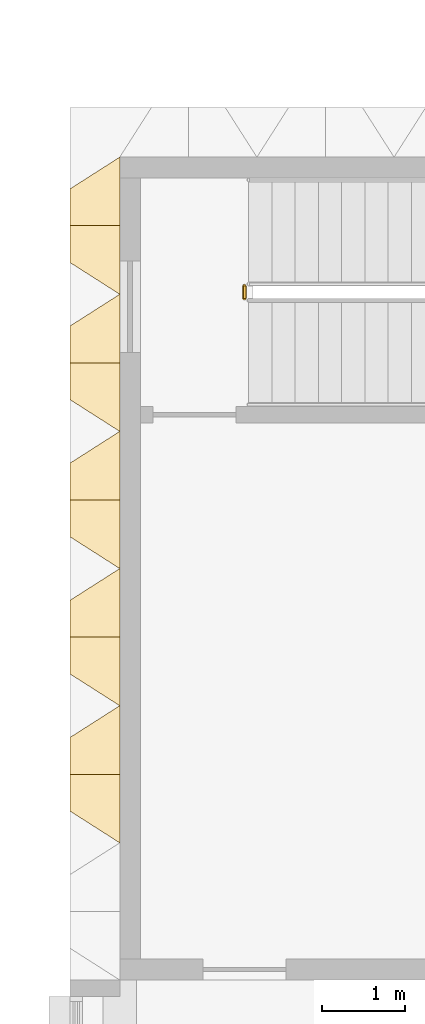
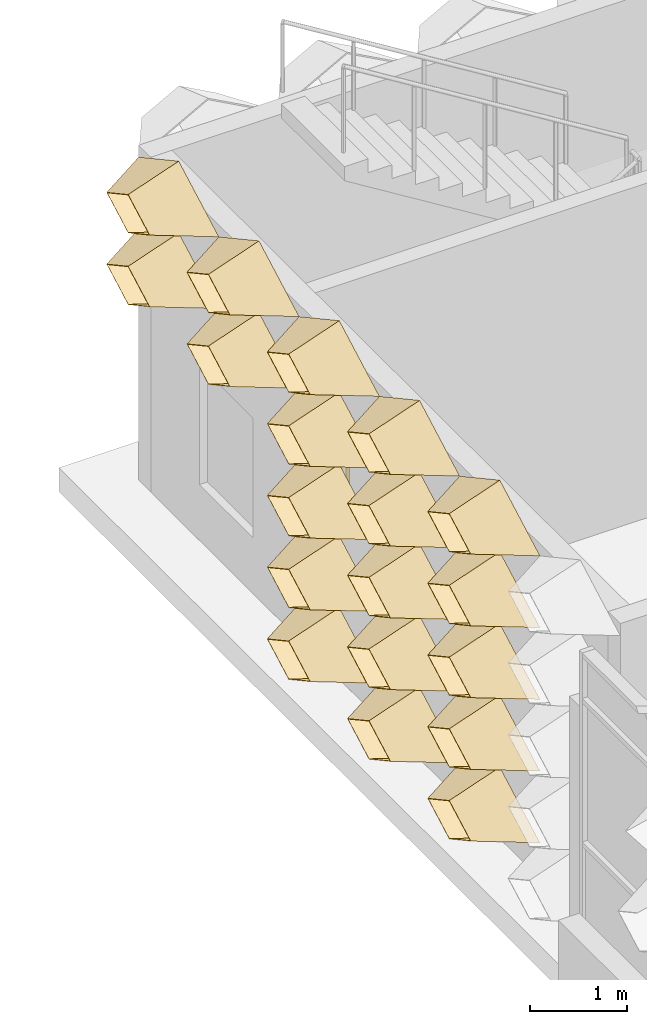
# One storey, part 42 of 85: 19 coverings, 1 railing.
"""IFC4 building model written with IfcOpenShell, lengths in metres."""

import ifcopenshell
import ifcopenshell.guid

model = None  # the IFC model being written
_history = None  # IfcOwnerHistory: only IFC2X3 demands one
_inside = {}  # id of a spatial element -> (the spatial element, [elements in it])
_under = {}  # id of a project, library or spatial element -> (it, [spatial elements below it])
_declared = {}  # id of a project -> (the project, [libraries it declares])
_typed = {}  # id of a type object -> (the type object, [elements of that type])
_made_of = {}  # id of a material, layer set ... -> (it, [elements and type objects made of it])


def new_model(schema):
    """Start an empty IFC model of exactly this schema.

    Asked for "IFC4X3", IfcOpenShell would pick the latest addendum, in which some entities
    have other attributes; the version numbers below select the first issue.
    IFC2X3 requires an IfcOwnerHistory on every rooted entity: one is made here for all.
    """
    global model, _history
    if schema == "IFC4X3":
        model = ifcopenshell.file(schema_version=(4, 3, 0, 0))
    else:
        model = ifcopenshell.file(schema=schema)
    _inside.clear()
    _under.clear()
    _declared.clear()
    _typed.clear()
    _made_of.clear()
    _history = None
    if model.schema == "IFC2X3":
        org = make("IfcOrganization", Name="unknown")
        user = make(
            "IfcPersonAndOrganization",
            ThePerson=make("IfcPerson", FamilyName="unknown"),
            TheOrganization=org,
        )
        app = make(
            "IfcApplication",
            ApplicationDeveloper=org,
            Version="unknown",
            ApplicationFullName="unknown",
            ApplicationIdentifier="unknown",
        )
        _history = make(
            "IfcOwnerHistory",
            OwningUser=user,
            OwningApplication=app,
            ChangeAction="ADDED",
            CreationDate=0,
        )
    return model


def make(cls, **values):
    """One entity of the class cls with the attributes given. An attribute that is None is left unset."""
    return model.create_entity(
        cls, **{name: value for name, value in values.items() if value is not None}
    )


def entity(cls, *values):
    """Any entity or typed value of the class cls, its attributes in the order of the schema. None: left unset."""
    e = model.create_entity(cls)
    for i, value in enumerate(values):
        if value is not None:
            e[i] = value
    return e


def rooted(cls, **values):
    """An entity with a GlobalId (a new one), such as an element, a storey or a relation."""
    return make(cls, GlobalId=ifcopenshell.guid.new(), OwnerHistory=_history, **values)


def si_unit(unit_type, name, prefix=None):
    """IfcSIUnit, for example si_unit("LENGTHUNIT", "METRE", prefix="MILLI")."""
    return make("IfcSIUnit", UnitType=unit_type, Prefix=prefix, Name=name)


def assignment(units):
    """IfcUnitAssignment: the units of a project."""
    return None if units is None else make("IfcUnitAssignment", Units=units)


def point(xyz):
    """IfcCartesianPoint."""
    return None if xyz is None else make("IfcCartesianPoint", Coordinates=xyz)


def direction(xyz):
    """IfcDirection."""
    return None if xyz is None else make("IfcDirection", DirectionRatios=xyz)


def frame(location, z_axis=None, x_axis=None):
    """IfcAxis2Placement3D, a coordinate frame: its origin and axes. An axis left out is left unset."""
    return make(
        "IfcAxis2Placement3D",
        Location=point(location),
        Axis=direction(z_axis),
        RefDirection=direction(x_axis),
    )


def frame_2d(location, x_axis=None):
    """IfcAxis2Placement2D, a coordinate frame in the plane: its origin and x axis."""
    return make(
        "IfcAxis2Placement2D", Location=point(location), RefDirection=direction(x_axis)
    )


def origin():
    """The frame at (0, 0, 0) with its axes left unset."""
    return frame((0.0, 0.0, 0.0))


def origin_2d():
    """The frame at (0, 0) in the plane with its x axis left unset."""
    return frame_2d((0.0, 0.0))


def place(relative_to, where):
    """IfcLocalPlacement: puts the frame where relative to a parent placement (None: the world)."""
    return make(
        "IfcLocalPlacement", PlacementRelTo=relative_to, RelativePlacement=where
    )


def context(
    kind, dimensions, precision=None, world=None, true_north=None, identifier=None
):
    """IfcGeometricRepresentationContext, for example the 3D "Model" context."""
    return make(
        "IfcGeometricRepresentationContext",
        ContextIdentifier=identifier,
        ContextType=kind,
        CoordinateSpaceDimension=dimensions,
        Precision=precision,
        WorldCoordinateSystem=world,
        TrueNorth=true_north,
    )


def subcontext(parent, identifier, kind, view, scale=None):
    """IfcGeometricRepresentationSubContext, for example "Body" below "Model"."""
    return make(
        "IfcGeometricRepresentationSubContext",
        ContextIdentifier=identifier,
        ContextType=kind,
        ParentContext=parent,
        TargetScale=scale,
        TargetView=view,
    )


def project(units=None, contexts=None):
    """IfcProject with its units and contexts."""
    return rooted(
        "IfcProject",
        Name="project",
        RepresentationContexts=contexts,
        UnitsInContext=assignment(units),
    )


def spatial(cls, under=None, at=None, **own):
    """A site, building, storey or space (cls), placed at a placement, below another one or the project."""
    s = rooted(cls, ObjectPlacement=at, **own)
    if under is not None:
        _under.setdefault(under.id(), (under, []))[1].append(s)
    return s


def profile(cls, at=None, kind="AREA", **sizes):
    """A parametric profile (cls). Its sizes go by their IFC names, for example OverallWidth=200.0."""
    return make(cls, ProfileType=kind, Position=at, **sizes)


def circle(**sizes):
    """IfcCircleProfileDef."""
    return profile("IfcCircleProfileDef", **sizes)


def extrude(swept, where, along, depth):
    """IfcExtrudedAreaSolid: the profile swept, set in the frame where, extruded along a direction by depth."""
    return make(
        "IfcExtrudedAreaSolid",
        SweptArea=swept,
        Position=where,
        ExtrudedDirection=direction(along),
        Depth=depth,
    )


def shape(context_of_items, identifier, shape_type, items):
    """IfcShapeRepresentation: the items that make up one representation, for example the "Body"."""
    return make(
        "IfcShapeRepresentation",
        ContextOfItems=context_of_items,
        RepresentationIdentifier=identifier,
        RepresentationType=shape_type,
        Items=items,
    )


def material(Name=None, Category=None):
    """IfcMaterial."""
    return make("IfcMaterial", Name=Name, Category=Category)


def layer(
    of_material, thickness, ventilated=None, Name=None, Category=None, Priority=None
):
    """IfcMaterialLayer: one layer of a wall or slab, of a material (None: an air gap)."""
    return make(
        "IfcMaterialLayer",
        Material=of_material,
        LayerThickness=thickness,
        IsVentilated=ventilated,
        Name=Name,
        Category=Category,
        Priority=Priority,
    )


def layer_set(layers, Name=None):
    """IfcMaterialLayerSet."""
    return make("IfcMaterialLayerSet", MaterialLayers=layers, LayerSetName=Name)


def made_of(thing, what):
    """Note that an element or type object is made of a material, layer set ...; save() writes the relation."""
    if what is not None:
        _made_of.setdefault(what.id(), (what, []))[1].append(thing)
    return thing


def type_object(cls, material=None, **own):
    """A type object (cls), such as IfcWallType, which elements share."""
    return made_of(rooted(cls, **own), material)


def element(
    cls,
    number,
    at=None,
    inside=None,
    cuts=None,
    type_object=None,
    material=None,
    context=None,
    identifier="Body",
    shape_type=None,
    held_by="IfcProductDefinitionShape",
    body=None,
    shapes=None,
    **own,
):
    """One element of the class cls, such as IfcWall. Its Tag is "e" and its number.

    at: its placement. inside: the storey or other place that contains it. cuts: it is an
    opening in that element (IfcRelVoidsElement). A single representation is given by context,
    identifier, shape_type and body (its items); several are given by shapes. held_by: the class
    of the entity that holds the representations. save() writes the other relations.
    """
    e = rooted(cls, Tag="e%d" % number, ObjectPlacement=at, **own)
    if body is not None:
        shapes = [shape(context, identifier, shape_type, body)]
    if shapes is not None:
        e.Representation = make(held_by, Representations=shapes)
    if inside is not None:
        _inside.setdefault(inside.id(), (inside, []))[1].append(e)
    if cuts is not None:
        rooted(
            "IfcRelVoidsElement", RelatingBuildingElement=cuts, RelatedOpeningElement=e
        )
    if type_object is not None:
        _typed.setdefault(type_object.id(), (type_object, []))[1].append(e)
    return made_of(e, material)


def aggregate(whole, parts):
    """IfcRelAggregates: a whole, such as a stair, and the parts it consists of."""
    return rooted("IfcRelAggregates", RelatingObject=whole, RelatedObjects=parts)


def save(model, path):
    """Write the relations noted so far, then the file.

    IfcRelAggregates (storeys below a building ...), IfcRelContainedInSpatialStructure (elements
    in a storey), IfcRelDefinesByType, IfcRelAssociatesMaterial and IfcRelDeclares: one each for
    every whole, place, type object, material and project.
    """
    for whole, parts in _under.values():
        aggregate(whole, parts)
    for where, things in _inside.values():
        rooted(
            "IfcRelContainedInSpatialStructure",
            RelatedElements=things,
            RelatingStructure=where,
        )
    for kind, things in _typed.values():
        rooted("IfcRelDefinesByType", RelatedObjects=things, RelatingType=kind)
    for what, things in _made_of.values():
        rooted("IfcRelAssociatesMaterial", RelatedObjects=things, RelatingMaterial=what)
    for by, libraries in _declared.values():
        rooted("IfcRelDeclares", RelatingContext=by, RelatedDefinitions=libraries)
    model.write(path)


model = new_model("IFC4")

# Units and contexts
model_context = context("Model", 3, precision=1e-05, world=origin(), true_north=direction((0.0, 1.0)))
body_context = subcontext(model_context, "Body", "Model", "MODEL_VIEW")
ifc_project = project(units=[si_unit("LENGTHUNIT", "METRE"), si_unit("AREAUNIT", "SQUARE_METRE"), si_unit("VOLUMEUNIT", "CUBIC_METRE"), si_unit("PLANEANGLEUNIT", "RADIAN"), si_unit("MASSUNIT", "GRAM", prefix="KILO")], contexts=[model_context])

# Site, building, storey
site_placement = place(None, origin())
site = spatial("IfcSite", under=ifc_project, at=site_placement, CompositionType="ELEMENT")
building_placement = place(site_placement, origin())
building = spatial("IfcBuilding", under=site, at=building_placement, Name="Lantern Court Research Institute", CompositionType="ELEMENT")
storey_placement = place(building_placement, frame((0.0, 0.0, 18.89990234375)))
storey = spatial("IfcBuildingStorey", under=building, at=storey_placement, Name="L04", CompositionType="ELEMENT", Elevation=18.89990234375)

# Coverings
ifc_material_1 = material(Name="Anodised aluminium", Category="aluminium")
ifc_layer = layer(ifc_material_1, 0.01611328125)
ifc_layer_set = layer_set([ifc_layer], Name="Anodised aluminium")
covering_type = type_object("IfcCoveringType", Name="Fin cassette 1650 x 900 x 600 aluminium", PredefinedType="CLADDING", material=ifc_layer_set)
covering_1_placement = place(storey_placement, frame((0.0, 15.675048828125, 0.4501953125), z_axis=(-1.0, 0.0, 0.0), x_axis=(0.0, -1.0, 0.0)))
cartesian_point_1 = entity("IfcCartesianPoint", [0.824951171875, 0.0])
cartesian_point_2 = entity("IfcCartesianPoint", [0.79150390625, 0.0])
cartesian_point_3 = entity("IfcCartesianPoint", [0.44189453125, 0.0])
cartesian_point_4 = entity("IfcCartesianPoint", [0.43359375, 0.0])
element("IfcCovering", 1, at=covering_1_placement, inside=storey, type_object=covering_type, Name="Fin cassette V4W-L04 1.10", PredefinedType="CLADDING", context=body_context, shape_type="SweptSolid", body=[
    entity("IfcExtrudedAreaSolidTapered", entity("IfcArbitraryProfileDefWithVoids", "AREA", None, entity("IfcPolyline", [cartesian_point_1, entity("IfcCartesianPoint", [0.0, 0.449951171875]), entity("IfcCartesianPoint", [-0.824951171875, 0.0]), entity("IfcCartesianPoint", [0.0, -0.449951171875]), cartesian_point_1]), [entity("IfcPolyline", [cartesian_point_2, entity("IfcCartesianPoint", [0.0, 0.431884765625]), entity("IfcCartesianPoint", [-0.79150390625, 0.0]), entity("IfcCartesianPoint", [0.0, -0.431884765625]), cartesian_point_2])]), entity("IfcAxis2Placement3D", entity("IfcCartesianPoint", [0.0, 0.0, 0.0])), entity("IfcDirection", [0.0, 0.0, 1.0]), 0.60009765625, entity("IfcArbitraryProfileDefWithVoids", "AREA", None, entity("IfcPolyline", [cartesian_point_3, entity("IfcCartesianPoint", [0.0, 0.240966796875]), entity("IfcCartesianPoint", [-0.44189453125, 0.0]), entity("IfcCartesianPoint", [0.0, -0.240966796875]), cartesian_point_3]), [entity("IfcPolyline", [cartesian_point_4, entity("IfcCartesianPoint", [0.0, 0.236572265625]), entity("IfcCartesianPoint", [-0.43359375, 0.0]), entity("IfcCartesianPoint", [0.0, -0.236572265625]), cartesian_point_4])])),
])
covering_2_placement = place(storey_placement, frame((0.0, 17.324951171875, 0.4501953125), z_axis=(-1.0, 0.0, 0.0), x_axis=(0.0, -1.0, 0.0)))
cartesian_point_5 = entity("IfcCartesianPoint", [0.824951171875, 0.0])
cartesian_point_6 = entity("IfcCartesianPoint", [0.79150390625, 0.0])
cartesian_point_7 = entity("IfcCartesianPoint", [0.44189453125, 0.0])
cartesian_point_8 = entity("IfcCartesianPoint", [0.43359375, 0.0])
element("IfcCovering", 2, at=covering_2_placement, inside=storey, type_object=covering_type, Name="Fin cassette V4W-L04 1.11", PredefinedType="CLADDING", context=body_context, shape_type="SweptSolid", body=[
    entity("IfcExtrudedAreaSolidTapered", entity("IfcArbitraryProfileDefWithVoids", "AREA", None, entity("IfcPolyline", [cartesian_point_5, entity("IfcCartesianPoint", [0.0, 0.449951171875]), entity("IfcCartesianPoint", [-0.824951171875, 0.0]), entity("IfcCartesianPoint", [0.0, -0.449951171875]), cartesian_point_5]), [entity("IfcPolyline", [cartesian_point_6, entity("IfcCartesianPoint", [0.0, 0.431884765625]), entity("IfcCartesianPoint", [-0.79150390625, 0.0]), entity("IfcCartesianPoint", [0.0, -0.431884765625]), cartesian_point_6])]), entity("IfcAxis2Placement3D", entity("IfcCartesianPoint", [0.0, 0.0, 0.0])), entity("IfcDirection", [0.0, 0.0, 1.0]), 0.60009765625, entity("IfcArbitraryProfileDefWithVoids", "AREA", None, entity("IfcPolyline", [cartesian_point_7, entity("IfcCartesianPoint", [0.0, 0.240966796875]), entity("IfcCartesianPoint", [-0.44189453125, 0.0]), entity("IfcCartesianPoint", [0.0, -0.240966796875]), cartesian_point_7]), [entity("IfcPolyline", [cartesian_point_8, entity("IfcCartesianPoint", [0.0, 0.236572265625]), entity("IfcCartesianPoint", [-0.43359375, 0.0]), entity("IfcCartesianPoint", [0.0, -0.236572265625]), cartesian_point_8])])),
])
covering_3_placement = place(storey_placement, frame((0.0, 18.97509765625, 0.4501953125), z_axis=(-1.0, 0.0, 0.0), x_axis=(0.0, -1.0, 0.0)))
cartesian_point_9 = entity("IfcCartesianPoint", [0.824951171875, 0.0])
cartesian_point_10 = entity("IfcCartesianPoint", [0.79150390625, 0.0])
cartesian_point_11 = entity("IfcCartesianPoint", [0.44189453125, 0.0])
cartesian_point_12 = entity("IfcCartesianPoint", [0.43359375, 0.0])
element("IfcCovering", 3, at=covering_3_placement, inside=storey, type_object=covering_type, Name="Fin cassette V4W-L04 1.12", PredefinedType="CLADDING", context=body_context, shape_type="SweptSolid", body=[
    entity("IfcExtrudedAreaSolidTapered", entity("IfcArbitraryProfileDefWithVoids", "AREA", None, entity("IfcPolyline", [cartesian_point_9, entity("IfcCartesianPoint", [0.0, 0.449951171875]), entity("IfcCartesianPoint", [-0.824951171875, 0.0]), entity("IfcCartesianPoint", [0.0, -0.449951171875]), cartesian_point_9]), [entity("IfcPolyline", [cartesian_point_10, entity("IfcCartesianPoint", [0.0, 0.431884765625]), entity("IfcCartesianPoint", [-0.79150390625, 0.0]), entity("IfcCartesianPoint", [0.0, -0.431884765625]), cartesian_point_10])]), entity("IfcAxis2Placement3D", entity("IfcCartesianPoint", [0.0, 0.0, 0.0])), entity("IfcDirection", [0.0, 0.0, 1.0]), 0.60009765625, entity("IfcArbitraryProfileDefWithVoids", "AREA", None, entity("IfcPolyline", [cartesian_point_11, entity("IfcCartesianPoint", [0.0, 0.240966796875]), entity("IfcCartesianPoint", [-0.44189453125, 0.0]), entity("IfcCartesianPoint", [0.0, -0.240966796875]), cartesian_point_11]), [entity("IfcPolyline", [cartesian_point_12, entity("IfcCartesianPoint", [0.0, 0.236572265625]), entity("IfcCartesianPoint", [-0.43359375, 0.0]), entity("IfcCartesianPoint", [0.0, -0.236572265625]), cartesian_point_12])])),
])
covering_4_placement = place(storey_placement, frame((0.0, 15.675048828125, 1.35009765625), z_axis=(-1.0, 0.0, 0.0), x_axis=(0.0, -1.0, 0.0)))
cartesian_point_13 = entity("IfcCartesianPoint", [0.824951171875, 0.0])
cartesian_point_14 = entity("IfcCartesianPoint", [0.79150390625, 0.0])
cartesian_point_15 = entity("IfcCartesianPoint", [0.44189453125, 0.0])
cartesian_point_16 = entity("IfcCartesianPoint", [0.43359375, 0.0])
element("IfcCovering", 4, at=covering_4_placement, inside=storey, type_object=covering_type, Name="Fin cassette V4W-L04 2.10", PredefinedType="CLADDING", context=body_context, shape_type="SweptSolid", body=[
    entity("IfcExtrudedAreaSolidTapered", entity("IfcArbitraryProfileDefWithVoids", "AREA", None, entity("IfcPolyline", [cartesian_point_13, entity("IfcCartesianPoint", [0.0, 0.449951171875]), entity("IfcCartesianPoint", [-0.824951171875, 0.0]), entity("IfcCartesianPoint", [0.0, -0.449951171875]), cartesian_point_13]), [entity("IfcPolyline", [cartesian_point_14, entity("IfcCartesianPoint", [0.0, 0.431884765625]), entity("IfcCartesianPoint", [-0.79150390625, 0.0]), entity("IfcCartesianPoint", [0.0, -0.431884765625]), cartesian_point_14])]), entity("IfcAxis2Placement3D", entity("IfcCartesianPoint", [0.0, 0.0, 0.0])), entity("IfcDirection", [0.0, 0.0, 1.0]), 0.60009765625, entity("IfcArbitraryProfileDefWithVoids", "AREA", None, entity("IfcPolyline", [cartesian_point_15, entity("IfcCartesianPoint", [0.0, 0.240966796875]), entity("IfcCartesianPoint", [-0.44189453125, 0.0]), entity("IfcCartesianPoint", [0.0, -0.240966796875]), cartesian_point_15]), [entity("IfcPolyline", [cartesian_point_16, entity("IfcCartesianPoint", [0.0, 0.236572265625]), entity("IfcCartesianPoint", [-0.43359375, 0.0]), entity("IfcCartesianPoint", [0.0, -0.236572265625]), cartesian_point_16])])),
])
covering_5_placement = place(storey_placement, frame((0.0, 17.324951171875, 1.35009765625), z_axis=(-1.0, 0.0, 0.0), x_axis=(0.0, -1.0, 0.0)))
cartesian_point_17 = entity("IfcCartesianPoint", [0.824951171875, 0.0])
cartesian_point_18 = entity("IfcCartesianPoint", [0.79150390625, 0.0])
cartesian_point_19 = entity("IfcCartesianPoint", [0.44189453125, 0.0])
cartesian_point_20 = entity("IfcCartesianPoint", [0.43359375, 0.0])
element("IfcCovering", 5, at=covering_5_placement, inside=storey, type_object=covering_type, Name="Fin cassette V4W-L04 2.11", PredefinedType="CLADDING", context=body_context, shape_type="SweptSolid", body=[
    entity("IfcExtrudedAreaSolidTapered", entity("IfcArbitraryProfileDefWithVoids", "AREA", None, entity("IfcPolyline", [cartesian_point_17, entity("IfcCartesianPoint", [0.0, 0.449951171875]), entity("IfcCartesianPoint", [-0.824951171875, 0.0]), entity("IfcCartesianPoint", [0.0, -0.449951171875]), cartesian_point_17]), [entity("IfcPolyline", [cartesian_point_18, entity("IfcCartesianPoint", [0.0, 0.431884765625]), entity("IfcCartesianPoint", [-0.79150390625, 0.0]), entity("IfcCartesianPoint", [0.0, -0.431884765625]), cartesian_point_18])]), entity("IfcAxis2Placement3D", entity("IfcCartesianPoint", [0.0, 0.0, 0.0])), entity("IfcDirection", [0.0, 0.0, 1.0]), 0.60009765625, entity("IfcArbitraryProfileDefWithVoids", "AREA", None, entity("IfcPolyline", [cartesian_point_19, entity("IfcCartesianPoint", [0.0, 0.240966796875]), entity("IfcCartesianPoint", [-0.44189453125, 0.0]), entity("IfcCartesianPoint", [0.0, -0.240966796875]), cartesian_point_19]), [entity("IfcPolyline", [cartesian_point_20, entity("IfcCartesianPoint", [0.0, 0.236572265625]), entity("IfcCartesianPoint", [-0.43359375, 0.0]), entity("IfcCartesianPoint", [0.0, -0.236572265625]), cartesian_point_20])])),
])
covering_6_placement = place(storey_placement, frame((0.0, 18.97509765625, 1.35009765625), z_axis=(-1.0, 0.0, 0.0), x_axis=(0.0, -1.0, 0.0)))
cartesian_point_21 = entity("IfcCartesianPoint", [0.824951171875, 0.0])
cartesian_point_22 = entity("IfcCartesianPoint", [0.79150390625, 0.0])
cartesian_point_23 = entity("IfcCartesianPoint", [0.44189453125, 0.0])
cartesian_point_24 = entity("IfcCartesianPoint", [0.43359375, 0.0])
element("IfcCovering", 6, at=covering_6_placement, inside=storey, type_object=covering_type, Name="Fin cassette V4W-L04 2.12", PredefinedType="CLADDING", context=body_context, shape_type="SweptSolid", body=[
    entity("IfcExtrudedAreaSolidTapered", entity("IfcArbitraryProfileDefWithVoids", "AREA", None, entity("IfcPolyline", [cartesian_point_21, entity("IfcCartesianPoint", [0.0, 0.449951171875]), entity("IfcCartesianPoint", [-0.824951171875, 0.0]), entity("IfcCartesianPoint", [0.0, -0.449951171875]), cartesian_point_21]), [entity("IfcPolyline", [cartesian_point_22, entity("IfcCartesianPoint", [0.0, 0.431884765625]), entity("IfcCartesianPoint", [-0.79150390625, 0.0]), entity("IfcCartesianPoint", [0.0, -0.431884765625]), cartesian_point_22])]), entity("IfcAxis2Placement3D", entity("IfcCartesianPoint", [0.0, 0.0, 0.0])), entity("IfcDirection", [0.0, 0.0, 1.0]), 0.60009765625, entity("IfcArbitraryProfileDefWithVoids", "AREA", None, entity("IfcPolyline", [cartesian_point_23, entity("IfcCartesianPoint", [0.0, 0.240966796875]), entity("IfcCartesianPoint", [-0.44189453125, 0.0]), entity("IfcCartesianPoint", [0.0, -0.240966796875]), cartesian_point_23]), [entity("IfcPolyline", [cartesian_point_24, entity("IfcCartesianPoint", [0.0, 0.236572265625]), entity("IfcCartesianPoint", [-0.43359375, 0.0]), entity("IfcCartesianPoint", [0.0, -0.236572265625]), cartesian_point_24])])),
])
covering_7_placement = place(storey_placement, frame((0.0, 15.675048828125, 2.25), z_axis=(-1.0, 0.0, 0.0), x_axis=(0.0, -1.0, 0.0)))
cartesian_point_25 = entity("IfcCartesianPoint", [0.824951171875, 0.0])
cartesian_point_26 = entity("IfcCartesianPoint", [0.79150390625, 0.0])
cartesian_point_27 = entity("IfcCartesianPoint", [0.44189453125, 0.0])
cartesian_point_28 = entity("IfcCartesianPoint", [0.43359375, 0.0])
element("IfcCovering", 7, at=covering_7_placement, inside=storey, type_object=covering_type, Name="Fin cassette V4W-L04 3.10", PredefinedType="CLADDING", context=body_context, shape_type="SweptSolid", body=[
    entity("IfcExtrudedAreaSolidTapered", entity("IfcArbitraryProfileDefWithVoids", "AREA", None, entity("IfcPolyline", [cartesian_point_25, entity("IfcCartesianPoint", [0.0, 0.449951171875]), entity("IfcCartesianPoint", [-0.824951171875, 0.0]), entity("IfcCartesianPoint", [0.0, -0.449951171875]), cartesian_point_25]), [entity("IfcPolyline", [cartesian_point_26, entity("IfcCartesianPoint", [0.0, 0.431884765625]), entity("IfcCartesianPoint", [-0.79150390625, 0.0]), entity("IfcCartesianPoint", [0.0, -0.431884765625]), cartesian_point_26])]), entity("IfcAxis2Placement3D", entity("IfcCartesianPoint", [0.0, 0.0, 0.0])), entity("IfcDirection", [0.0, 0.0, 1.0]), 0.60009765625, entity("IfcArbitraryProfileDefWithVoids", "AREA", None, entity("IfcPolyline", [cartesian_point_27, entity("IfcCartesianPoint", [0.0, 0.240966796875]), entity("IfcCartesianPoint", [-0.44189453125, 0.0]), entity("IfcCartesianPoint", [0.0, -0.240966796875]), cartesian_point_27]), [entity("IfcPolyline", [cartesian_point_28, entity("IfcCartesianPoint", [0.0, 0.236572265625]), entity("IfcCartesianPoint", [-0.43359375, 0.0]), entity("IfcCartesianPoint", [0.0, -0.236572265625]), cartesian_point_28])])),
])
covering_8_placement = place(storey_placement, frame((0.0, 17.324951171875, 2.25), z_axis=(-1.0, 0.0, 0.0), x_axis=(0.0, -1.0, 0.0)))
cartesian_point_29 = entity("IfcCartesianPoint", [0.824951171875, 0.0])
cartesian_point_30 = entity("IfcCartesianPoint", [0.79150390625, 0.0])
cartesian_point_31 = entity("IfcCartesianPoint", [0.44189453125, 0.0])
cartesian_point_32 = entity("IfcCartesianPoint", [0.43359375, 0.0])
element("IfcCovering", 8, at=covering_8_placement, inside=storey, type_object=covering_type, Name="Fin cassette V4W-L04 3.11", PredefinedType="CLADDING", context=body_context, shape_type="SweptSolid", body=[
    entity("IfcExtrudedAreaSolidTapered", entity("IfcArbitraryProfileDefWithVoids", "AREA", None, entity("IfcPolyline", [cartesian_point_29, entity("IfcCartesianPoint", [0.0, 0.449951171875]), entity("IfcCartesianPoint", [-0.824951171875, 0.0]), entity("IfcCartesianPoint", [0.0, -0.449951171875]), cartesian_point_29]), [entity("IfcPolyline", [cartesian_point_30, entity("IfcCartesianPoint", [0.0, 0.431884765625]), entity("IfcCartesianPoint", [-0.79150390625, 0.0]), entity("IfcCartesianPoint", [0.0, -0.431884765625]), cartesian_point_30])]), entity("IfcAxis2Placement3D", entity("IfcCartesianPoint", [0.0, 0.0, 0.0])), entity("IfcDirection", [0.0, 0.0, 1.0]), 0.60009765625, entity("IfcArbitraryProfileDefWithVoids", "AREA", None, entity("IfcPolyline", [cartesian_point_31, entity("IfcCartesianPoint", [0.0, 0.240966796875]), entity("IfcCartesianPoint", [-0.44189453125, 0.0]), entity("IfcCartesianPoint", [0.0, -0.240966796875]), cartesian_point_31]), [entity("IfcPolyline", [cartesian_point_32, entity("IfcCartesianPoint", [0.0, 0.236572265625]), entity("IfcCartesianPoint", [-0.43359375, 0.0]), entity("IfcCartesianPoint", [0.0, -0.236572265625]), cartesian_point_32])])),
])
covering_9_placement = place(storey_placement, frame((0.0, 18.97509765625, 2.25), z_axis=(-1.0, 0.0, 0.0), x_axis=(0.0, -1.0, 0.0)))
cartesian_point_33 = entity("IfcCartesianPoint", [0.824951171875, 0.0])
cartesian_point_34 = entity("IfcCartesianPoint", [0.79150390625, 0.0])
cartesian_point_35 = entity("IfcCartesianPoint", [0.44189453125, 0.0])
cartesian_point_36 = entity("IfcCartesianPoint", [0.43359375, 0.0])
element("IfcCovering", 9, at=covering_9_placement, inside=storey, type_object=covering_type, Name="Fin cassette V4W-L04 3.12", PredefinedType="CLADDING", context=body_context, shape_type="SweptSolid", body=[
    entity("IfcExtrudedAreaSolidTapered", entity("IfcArbitraryProfileDefWithVoids", "AREA", None, entity("IfcPolyline", [cartesian_point_33, entity("IfcCartesianPoint", [0.0, 0.449951171875]), entity("IfcCartesianPoint", [-0.824951171875, 0.0]), entity("IfcCartesianPoint", [0.0, -0.449951171875]), cartesian_point_33]), [entity("IfcPolyline", [cartesian_point_34, entity("IfcCartesianPoint", [0.0, 0.431884765625]), entity("IfcCartesianPoint", [-0.79150390625, 0.0]), entity("IfcCartesianPoint", [0.0, -0.431884765625]), cartesian_point_34])]), entity("IfcAxis2Placement3D", entity("IfcCartesianPoint", [0.0, 0.0, 0.0])), entity("IfcDirection", [0.0, 0.0, 1.0]), 0.60009765625, entity("IfcArbitraryProfileDefWithVoids", "AREA", None, entity("IfcPolyline", [cartesian_point_35, entity("IfcCartesianPoint", [0.0, 0.240966796875]), entity("IfcCartesianPoint", [-0.44189453125, 0.0]), entity("IfcCartesianPoint", [0.0, -0.240966796875]), cartesian_point_35]), [entity("IfcPolyline", [cartesian_point_36, entity("IfcCartesianPoint", [0.0, 0.236572265625]), entity("IfcCartesianPoint", [-0.43359375, 0.0]), entity("IfcCartesianPoint", [0.0, -0.236572265625]), cartesian_point_36])])),
])
covering_10_placement = place(storey_placement, frame((0.0, 15.675048828125, 3.150146484375), z_axis=(-1.0, 0.0, 0.0), x_axis=(0.0, -1.0, 0.0)))
cartesian_point_37 = entity("IfcCartesianPoint", [0.824951171875, 0.0])
cartesian_point_38 = entity("IfcCartesianPoint", [0.79150390625, 0.0])
cartesian_point_39 = entity("IfcCartesianPoint", [0.44189453125, 0.0])
cartesian_point_40 = entity("IfcCartesianPoint", [0.43359375, 0.0])
element("IfcCovering", 10, at=covering_10_placement, inside=storey, type_object=covering_type, Name="Fin cassette V4W-L04 4.10", PredefinedType="CLADDING", context=body_context, shape_type="SweptSolid", body=[
    entity("IfcExtrudedAreaSolidTapered", entity("IfcArbitraryProfileDefWithVoids", "AREA", None, entity("IfcPolyline", [cartesian_point_37, entity("IfcCartesianPoint", [0.0, 0.449951171875]), entity("IfcCartesianPoint", [-0.824951171875, 0.0]), entity("IfcCartesianPoint", [0.0, -0.449951171875]), cartesian_point_37]), [entity("IfcPolyline", [cartesian_point_38, entity("IfcCartesianPoint", [0.0, 0.431884765625]), entity("IfcCartesianPoint", [-0.79150390625, 0.0]), entity("IfcCartesianPoint", [0.0, -0.431884765625]), cartesian_point_38])]), entity("IfcAxis2Placement3D", entity("IfcCartesianPoint", [0.0, 0.0, 0.0])), entity("IfcDirection", [0.0, 0.0, 1.0]), 0.60009765625, entity("IfcArbitraryProfileDefWithVoids", "AREA", None, entity("IfcPolyline", [cartesian_point_39, entity("IfcCartesianPoint", [0.0, 0.240966796875]), entity("IfcCartesianPoint", [-0.44189453125, 0.0]), entity("IfcCartesianPoint", [0.0, -0.240966796875]), cartesian_point_39]), [entity("IfcPolyline", [cartesian_point_40, entity("IfcCartesianPoint", [0.0, 0.236572265625]), entity("IfcCartesianPoint", [-0.43359375, 0.0]), entity("IfcCartesianPoint", [0.0, -0.236572265625]), cartesian_point_40])])),
])
covering_11_placement = place(storey_placement, frame((0.0, 17.324951171875, 3.150146484375), z_axis=(-1.0, 0.0, 0.0), x_axis=(0.0, -1.0, 0.0)))
cartesian_point_41 = entity("IfcCartesianPoint", [0.824951171875, 0.0])
cartesian_point_42 = entity("IfcCartesianPoint", [0.79150390625, 0.0])
cartesian_point_43 = entity("IfcCartesianPoint", [0.44189453125, 0.0])
cartesian_point_44 = entity("IfcCartesianPoint", [0.43359375, 0.0])
element("IfcCovering", 11, at=covering_11_placement, inside=storey, type_object=covering_type, Name="Fin cassette V4W-L04 4.11", PredefinedType="CLADDING", context=body_context, shape_type="SweptSolid", body=[
    entity("IfcExtrudedAreaSolidTapered", entity("IfcArbitraryProfileDefWithVoids", "AREA", None, entity("IfcPolyline", [cartesian_point_41, entity("IfcCartesianPoint", [0.0, 0.449951171875]), entity("IfcCartesianPoint", [-0.824951171875, 0.0]), entity("IfcCartesianPoint", [0.0, -0.449951171875]), cartesian_point_41]), [entity("IfcPolyline", [cartesian_point_42, entity("IfcCartesianPoint", [0.0, 0.431884765625]), entity("IfcCartesianPoint", [-0.79150390625, 0.0]), entity("IfcCartesianPoint", [0.0, -0.431884765625]), cartesian_point_42])]), entity("IfcAxis2Placement3D", entity("IfcCartesianPoint", [0.0, 0.0, 0.0])), entity("IfcDirection", [0.0, 0.0, 1.0]), 0.60009765625, entity("IfcArbitraryProfileDefWithVoids", "AREA", None, entity("IfcPolyline", [cartesian_point_43, entity("IfcCartesianPoint", [0.0, 0.240966796875]), entity("IfcCartesianPoint", [-0.44189453125, 0.0]), entity("IfcCartesianPoint", [0.0, -0.240966796875]), cartesian_point_43]), [entity("IfcPolyline", [cartesian_point_44, entity("IfcCartesianPoint", [0.0, 0.236572265625]), entity("IfcCartesianPoint", [-0.43359375, 0.0]), entity("IfcCartesianPoint", [0.0, -0.236572265625]), cartesian_point_44])])),
])
covering_12_placement = place(storey_placement, frame((0.0, 18.97509765625, 3.150146484375), z_axis=(-1.0, 0.0, 0.0), x_axis=(0.0, -1.0, 0.0)))
cartesian_point_45 = entity("IfcCartesianPoint", [0.824951171875, 0.0])
cartesian_point_46 = entity("IfcCartesianPoint", [0.79150390625, 0.0])
cartesian_point_47 = entity("IfcCartesianPoint", [0.44189453125, 0.0])
cartesian_point_48 = entity("IfcCartesianPoint", [0.43359375, 0.0])
element("IfcCovering", 12, at=covering_12_placement, inside=storey, type_object=covering_type, Name="Fin cassette V4W-L04 4.12", PredefinedType="CLADDING", context=body_context, shape_type="SweptSolid", body=[
    entity("IfcExtrudedAreaSolidTapered", entity("IfcArbitraryProfileDefWithVoids", "AREA", None, entity("IfcPolyline", [cartesian_point_45, entity("IfcCartesianPoint", [0.0, 0.449951171875]), entity("IfcCartesianPoint", [-0.824951171875, 0.0]), entity("IfcCartesianPoint", [0.0, -0.449951171875]), cartesian_point_45]), [entity("IfcPolyline", [cartesian_point_46, entity("IfcCartesianPoint", [0.0, 0.431884765625]), entity("IfcCartesianPoint", [-0.79150390625, 0.0]), entity("IfcCartesianPoint", [0.0, -0.431884765625]), cartesian_point_46])]), entity("IfcAxis2Placement3D", entity("IfcCartesianPoint", [0.0, 0.0, 0.0])), entity("IfcDirection", [0.0, 0.0, 1.0]), 0.60009765625, entity("IfcArbitraryProfileDefWithVoids", "AREA", None, entity("IfcPolyline", [cartesian_point_47, entity("IfcCartesianPoint", [0.0, 0.240966796875]), entity("IfcCartesianPoint", [-0.44189453125, 0.0]), entity("IfcCartesianPoint", [0.0, -0.240966796875]), cartesian_point_47]), [entity("IfcPolyline", [cartesian_point_48, entity("IfcCartesianPoint", [0.0, 0.236572265625]), entity("IfcCartesianPoint", [-0.43359375, 0.0]), entity("IfcCartesianPoint", [0.0, -0.236572265625]), cartesian_point_48])])),
])
covering_13_placement = place(storey_placement, frame((0.0, 20.625, 3.150146484375), z_axis=(-1.0, 0.0, 0.0), x_axis=(0.0, -1.0, 0.0)))
cartesian_point_49 = entity("IfcCartesianPoint", [0.824951171875, 0.0])
cartesian_point_50 = entity("IfcCartesianPoint", [0.79150390625, 0.0])
cartesian_point_51 = entity("IfcCartesianPoint", [0.44189453125, 0.0])
cartesian_point_52 = entity("IfcCartesianPoint", [0.43359375, 0.0])
element("IfcCovering", 13, at=covering_13_placement, inside=storey, type_object=covering_type, Name="Fin cassette V4W-L04 4.13", PredefinedType="CLADDING", context=body_context, shape_type="SweptSolid", body=[
    entity("IfcExtrudedAreaSolidTapered", entity("IfcArbitraryProfileDefWithVoids", "AREA", None, entity("IfcPolyline", [cartesian_point_49, entity("IfcCartesianPoint", [0.0, 0.449951171875]), entity("IfcCartesianPoint", [-0.824951171875, 0.0]), entity("IfcCartesianPoint", [0.0, -0.449951171875]), cartesian_point_49]), [entity("IfcPolyline", [cartesian_point_50, entity("IfcCartesianPoint", [0.0, 0.431884765625]), entity("IfcCartesianPoint", [-0.79150390625, 0.0]), entity("IfcCartesianPoint", [0.0, -0.431884765625]), cartesian_point_50])]), entity("IfcAxis2Placement3D", entity("IfcCartesianPoint", [0.0, 0.0, 0.0])), entity("IfcDirection", [0.0, 0.0, 1.0]), 0.60009765625, entity("IfcArbitraryProfileDefWithVoids", "AREA", None, entity("IfcPolyline", [cartesian_point_51, entity("IfcCartesianPoint", [0.0, 0.240966796875]), entity("IfcCartesianPoint", [-0.44189453125, 0.0]), entity("IfcCartesianPoint", [0.0, -0.240966796875]), cartesian_point_51]), [entity("IfcPolyline", [cartesian_point_52, entity("IfcCartesianPoint", [0.0, 0.236572265625]), entity("IfcCartesianPoint", [-0.43359375, 0.0]), entity("IfcCartesianPoint", [0.0, -0.236572265625]), cartesian_point_52])])),
])
covering_14_placement = place(storey_placement, frame((0.0, 22.27490234375, 3.150146484375), z_axis=(-1.0, 0.0, 0.0), x_axis=(0.0, -1.0, 0.0)))
cartesian_point_53 = entity("IfcCartesianPoint", [0.824951171875, 0.0])
cartesian_point_54 = entity("IfcCartesianPoint", [0.79150390625, 0.0])
cartesian_point_55 = entity("IfcCartesianPoint", [0.44189453125, 0.0])
cartesian_point_56 = entity("IfcCartesianPoint", [0.43359375, 0.0])
element("IfcCovering", 14, at=covering_14_placement, inside=storey, type_object=covering_type, Name="Fin cassette V4W-L04 4.14", PredefinedType="CLADDING", context=body_context, shape_type="SweptSolid", body=[
    entity("IfcExtrudedAreaSolidTapered", entity("IfcArbitraryProfileDefWithVoids", "AREA", None, entity("IfcPolyline", [cartesian_point_53, entity("IfcCartesianPoint", [0.0, 0.449951171875]), entity("IfcCartesianPoint", [-0.824951171875, 0.0]), entity("IfcCartesianPoint", [0.0, -0.449951171875]), cartesian_point_53]), [entity("IfcPolyline", [cartesian_point_54, entity("IfcCartesianPoint", [0.0, 0.431884765625]), entity("IfcCartesianPoint", [-0.79150390625, 0.0]), entity("IfcCartesianPoint", [0.0, -0.431884765625]), cartesian_point_54])]), entity("IfcAxis2Placement3D", entity("IfcCartesianPoint", [0.0, 0.0, 0.0])), entity("IfcDirection", [0.0, 0.0, 1.0]), 0.60009765625, entity("IfcArbitraryProfileDefWithVoids", "AREA", None, entity("IfcPolyline", [cartesian_point_55, entity("IfcCartesianPoint", [0.0, 0.240966796875]), entity("IfcCartesianPoint", [-0.44189453125, 0.0]), entity("IfcCartesianPoint", [0.0, -0.240966796875]), cartesian_point_55]), [entity("IfcPolyline", [cartesian_point_56, entity("IfcCartesianPoint", [0.0, 0.236572265625]), entity("IfcCartesianPoint", [-0.43359375, 0.0]), entity("IfcCartesianPoint", [0.0, -0.236572265625]), cartesian_point_56])])),
])
covering_15_placement = place(storey_placement, frame((0.0, 15.675048828125, 4.050048828125), z_axis=(-1.0, 0.0, 0.0), x_axis=(0.0, -1.0, 0.0)))
cartesian_point_57 = entity("IfcCartesianPoint", [0.824951171875, 0.0])
cartesian_point_58 = entity("IfcCartesianPoint", [0.79150390625, 0.0])
cartesian_point_59 = entity("IfcCartesianPoint", [0.44189453125, 0.0])
cartesian_point_60 = entity("IfcCartesianPoint", [0.43359375, 0.0])
element("IfcCovering", 15, at=covering_15_placement, inside=storey, type_object=covering_type, Name="Fin cassette V4W-L04 5.10", PredefinedType="CLADDING", context=body_context, shape_type="SweptSolid", body=[
    entity("IfcExtrudedAreaSolidTapered", entity("IfcArbitraryProfileDefWithVoids", "AREA", None, entity("IfcPolyline", [cartesian_point_57, entity("IfcCartesianPoint", [0.0, 0.449951171875]), entity("IfcCartesianPoint", [-0.824951171875, 0.0]), entity("IfcCartesianPoint", [0.0, -0.449951171875]), cartesian_point_57]), [entity("IfcPolyline", [cartesian_point_58, entity("IfcCartesianPoint", [0.0, 0.431884765625]), entity("IfcCartesianPoint", [-0.79150390625, 0.0]), entity("IfcCartesianPoint", [0.0, -0.431884765625]), cartesian_point_58])]), entity("IfcAxis2Placement3D", entity("IfcCartesianPoint", [0.0, 0.0, 0.0])), entity("IfcDirection", [0.0, 0.0, 1.0]), 0.60009765625, entity("IfcArbitraryProfileDefWithVoids", "AREA", None, entity("IfcPolyline", [cartesian_point_59, entity("IfcCartesianPoint", [0.0, 0.240966796875]), entity("IfcCartesianPoint", [-0.44189453125, 0.0]), entity("IfcCartesianPoint", [0.0, -0.240966796875]), cartesian_point_59]), [entity("IfcPolyline", [cartesian_point_60, entity("IfcCartesianPoint", [0.0, 0.236572265625]), entity("IfcCartesianPoint", [-0.43359375, 0.0]), entity("IfcCartesianPoint", [0.0, -0.236572265625]), cartesian_point_60])])),
])
covering_16_placement = place(storey_placement, frame((0.0, 17.324951171875, 4.050048828125), z_axis=(-1.0, 0.0, 0.0), x_axis=(0.0, -1.0, 0.0)))
cartesian_point_61 = entity("IfcCartesianPoint", [0.824951171875, 0.0])
cartesian_point_62 = entity("IfcCartesianPoint", [0.79150390625, 0.0])
cartesian_point_63 = entity("IfcCartesianPoint", [0.44189453125, 0.0])
cartesian_point_64 = entity("IfcCartesianPoint", [0.43359375, 0.0])
element("IfcCovering", 16, at=covering_16_placement, inside=storey, type_object=covering_type, Name="Fin cassette V4W-L04 5.11", PredefinedType="CLADDING", context=body_context, shape_type="SweptSolid", body=[
    entity("IfcExtrudedAreaSolidTapered", entity("IfcArbitraryProfileDefWithVoids", "AREA", None, entity("IfcPolyline", [cartesian_point_61, entity("IfcCartesianPoint", [0.0, 0.449951171875]), entity("IfcCartesianPoint", [-0.824951171875, 0.0]), entity("IfcCartesianPoint", [0.0, -0.449951171875]), cartesian_point_61]), [entity("IfcPolyline", [cartesian_point_62, entity("IfcCartesianPoint", [0.0, 0.431884765625]), entity("IfcCartesianPoint", [-0.79150390625, 0.0]), entity("IfcCartesianPoint", [0.0, -0.431884765625]), cartesian_point_62])]), entity("IfcAxis2Placement3D", entity("IfcCartesianPoint", [0.0, 0.0, 0.0])), entity("IfcDirection", [0.0, 0.0, 1.0]), 0.60009765625, entity("IfcArbitraryProfileDefWithVoids", "AREA", None, entity("IfcPolyline", [cartesian_point_63, entity("IfcCartesianPoint", [0.0, 0.240966796875]), entity("IfcCartesianPoint", [-0.44189453125, 0.0]), entity("IfcCartesianPoint", [0.0, -0.240966796875]), cartesian_point_63]), [entity("IfcPolyline", [cartesian_point_64, entity("IfcCartesianPoint", [0.0, 0.236572265625]), entity("IfcCartesianPoint", [-0.43359375, 0.0]), entity("IfcCartesianPoint", [0.0, -0.236572265625]), cartesian_point_64])])),
])
covering_17_placement = place(storey_placement, frame((0.0, 18.97509765625, 4.050048828125), z_axis=(-1.0, 0.0, 0.0), x_axis=(0.0, -1.0, 0.0)))
cartesian_point_65 = entity("IfcCartesianPoint", [0.824951171875, 0.0])
cartesian_point_66 = entity("IfcCartesianPoint", [0.79150390625, 0.0])
cartesian_point_67 = entity("IfcCartesianPoint", [0.44189453125, 0.0])
cartesian_point_68 = entity("IfcCartesianPoint", [0.43359375, 0.0])
element("IfcCovering", 17, at=covering_17_placement, inside=storey, type_object=covering_type, Name="Fin cassette V4W-L04 5.12", PredefinedType="CLADDING", context=body_context, shape_type="SweptSolid", body=[
    entity("IfcExtrudedAreaSolidTapered", entity("IfcArbitraryProfileDefWithVoids", "AREA", None, entity("IfcPolyline", [cartesian_point_65, entity("IfcCartesianPoint", [0.0, 0.449951171875]), entity("IfcCartesianPoint", [-0.824951171875, 0.0]), entity("IfcCartesianPoint", [0.0, -0.449951171875]), cartesian_point_65]), [entity("IfcPolyline", [cartesian_point_66, entity("IfcCartesianPoint", [0.0, 0.431884765625]), entity("IfcCartesianPoint", [-0.79150390625, 0.0]), entity("IfcCartesianPoint", [0.0, -0.431884765625]), cartesian_point_66])]), entity("IfcAxis2Placement3D", entity("IfcCartesianPoint", [0.0, 0.0, 0.0])), entity("IfcDirection", [0.0, 0.0, 1.0]), 0.60009765625, entity("IfcArbitraryProfileDefWithVoids", "AREA", None, entity("IfcPolyline", [cartesian_point_67, entity("IfcCartesianPoint", [0.0, 0.240966796875]), entity("IfcCartesianPoint", [-0.44189453125, 0.0]), entity("IfcCartesianPoint", [0.0, -0.240966796875]), cartesian_point_67]), [entity("IfcPolyline", [cartesian_point_68, entity("IfcCartesianPoint", [0.0, 0.236572265625]), entity("IfcCartesianPoint", [-0.43359375, 0.0]), entity("IfcCartesianPoint", [0.0, -0.236572265625]), cartesian_point_68])])),
])
covering_18_placement = place(storey_placement, frame((0.0, 20.625, 4.050048828125), z_axis=(-1.0, 0.0, 0.0), x_axis=(0.0, -1.0, 0.0)))
cartesian_point_69 = entity("IfcCartesianPoint", [0.824951171875, 0.0])
cartesian_point_70 = entity("IfcCartesianPoint", [0.79150390625, 0.0])
cartesian_point_71 = entity("IfcCartesianPoint", [0.44189453125, 0.0])
cartesian_point_72 = entity("IfcCartesianPoint", [0.43359375, 0.0])
element("IfcCovering", 18, at=covering_18_placement, inside=storey, type_object=covering_type, Name="Fin cassette V4W-L04 5.13", PredefinedType="CLADDING", context=body_context, shape_type="SweptSolid", body=[
    entity("IfcExtrudedAreaSolidTapered", entity("IfcArbitraryProfileDefWithVoids", "AREA", None, entity("IfcPolyline", [cartesian_point_69, entity("IfcCartesianPoint", [0.0, 0.449951171875]), entity("IfcCartesianPoint", [-0.824951171875, 0.0]), entity("IfcCartesianPoint", [0.0, -0.449951171875]), cartesian_point_69]), [entity("IfcPolyline", [cartesian_point_70, entity("IfcCartesianPoint", [0.0, 0.431884765625]), entity("IfcCartesianPoint", [-0.79150390625, 0.0]), entity("IfcCartesianPoint", [0.0, -0.431884765625]), cartesian_point_70])]), entity("IfcAxis2Placement3D", entity("IfcCartesianPoint", [0.0, 0.0, 0.0])), entity("IfcDirection", [0.0, 0.0, 1.0]), 0.60009765625, entity("IfcArbitraryProfileDefWithVoids", "AREA", None, entity("IfcPolyline", [cartesian_point_71, entity("IfcCartesianPoint", [0.0, 0.240966796875]), entity("IfcCartesianPoint", [-0.44189453125, 0.0]), entity("IfcCartesianPoint", [0.0, -0.240966796875]), cartesian_point_71]), [entity("IfcPolyline", [cartesian_point_72, entity("IfcCartesianPoint", [0.0, 0.236572265625]), entity("IfcCartesianPoint", [-0.43359375, 0.0]), entity("IfcCartesianPoint", [0.0, -0.236572265625]), cartesian_point_72])])),
])
covering_19_placement = place(storey_placement, frame((0.0, 22.27490234375, 4.050048828125), z_axis=(-1.0, 0.0, 0.0), x_axis=(0.0, -1.0, 0.0)))
cartesian_point_73 = entity("IfcCartesianPoint", [0.824951171875, 0.0])
cartesian_point_74 = entity("IfcCartesianPoint", [0.79150390625, 0.0])
cartesian_point_75 = entity("IfcCartesianPoint", [0.44189453125, 0.0])
cartesian_point_76 = entity("IfcCartesianPoint", [0.43359375, 0.0])
element("IfcCovering", 19, at=covering_19_placement, inside=storey, type_object=covering_type, Name="Fin cassette V4W-L04 5.14", PredefinedType="CLADDING", context=body_context, shape_type="SweptSolid", body=[
    entity("IfcExtrudedAreaSolidTapered", entity("IfcArbitraryProfileDefWithVoids", "AREA", None, entity("IfcPolyline", [cartesian_point_73, entity("IfcCartesianPoint", [0.0, 0.449951171875]), entity("IfcCartesianPoint", [-0.824951171875, 0.0]), entity("IfcCartesianPoint", [0.0, -0.449951171875]), cartesian_point_73]), [entity("IfcPolyline", [cartesian_point_74, entity("IfcCartesianPoint", [0.0, 0.431884765625]), entity("IfcCartesianPoint", [-0.79150390625, 0.0]), entity("IfcCartesianPoint", [0.0, -0.431884765625]), cartesian_point_74])]), entity("IfcAxis2Placement3D", entity("IfcCartesianPoint", [0.0, 0.0, 0.0])), entity("IfcDirection", [0.0, 0.0, 1.0]), 0.60009765625, entity("IfcArbitraryProfileDefWithVoids", "AREA", None, entity("IfcPolyline", [cartesian_point_75, entity("IfcCartesianPoint", [0.0, 0.240966796875]), entity("IfcCartesianPoint", [-0.44189453125, 0.0]), entity("IfcCartesianPoint", [0.0, -0.240966796875]), cartesian_point_75]), [entity("IfcPolyline", [cartesian_point_76, entity("IfcCartesianPoint", [0.0, 0.236572265625]), entity("IfcCartesianPoint", [-0.43359375, 0.0]), entity("IfcCartesianPoint", [0.0, -0.236572265625]), cartesian_point_76])])),
])

# Railing
ifc_material_2 = material(Name="Structural steel S355", Category="steel")
railing_type = type_object("IfcRailingType", Name="Stair guard 1100 steel", PredefinedType="GUARDRAIL", material=ifc_material_2)
railing_placement = place(storey_placement, frame((1.5, 21.39990234375, 0.0)))
element("IfcRailing", 20, at=railing_placement, inside=storey, type_object=railing_type, Name="L04 ST-B1 stair guard 4", PredefinedType="GUARDRAIL", context=body_context, shape_type="SweptSolid", body=[
    extrude(circle(Radius=0.02392578125, at=origin_2d()), frame((0.0, 0.0, 1.076171875), z_axis=(0.0, 1.0, 0.0), x_axis=(-1.0, 0.0, 0.0)), (0.0, 0.0, 1.0), 0.150146484375),
    extrude(circle(Radius=0.02099609375, at=origin_2d()), origin(), (0.0, 0.0, 1.0), 1.052001953125),
    extrude(circle(Radius=0.02099609375, at=origin_2d()), frame((0.0, 0.150146484375, 0.0)), (0.0, 0.0, 1.0), 1.052001953125),
])

save(model, "model.ifc")
